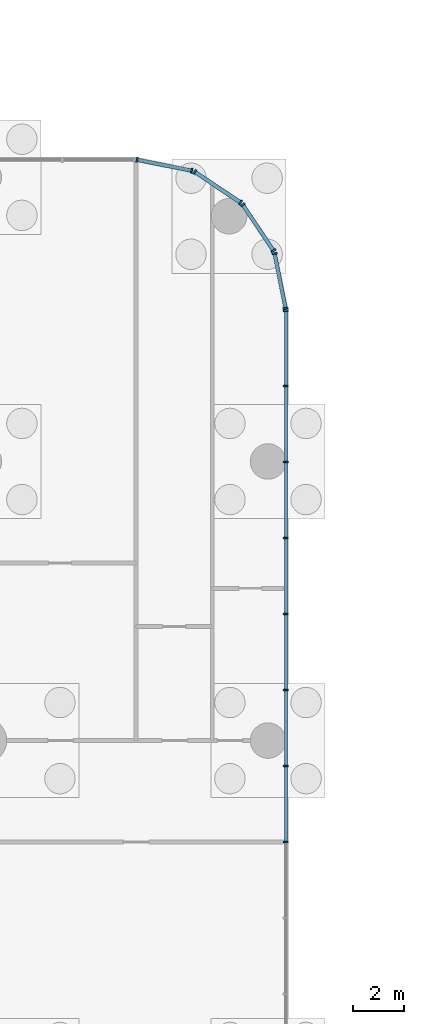
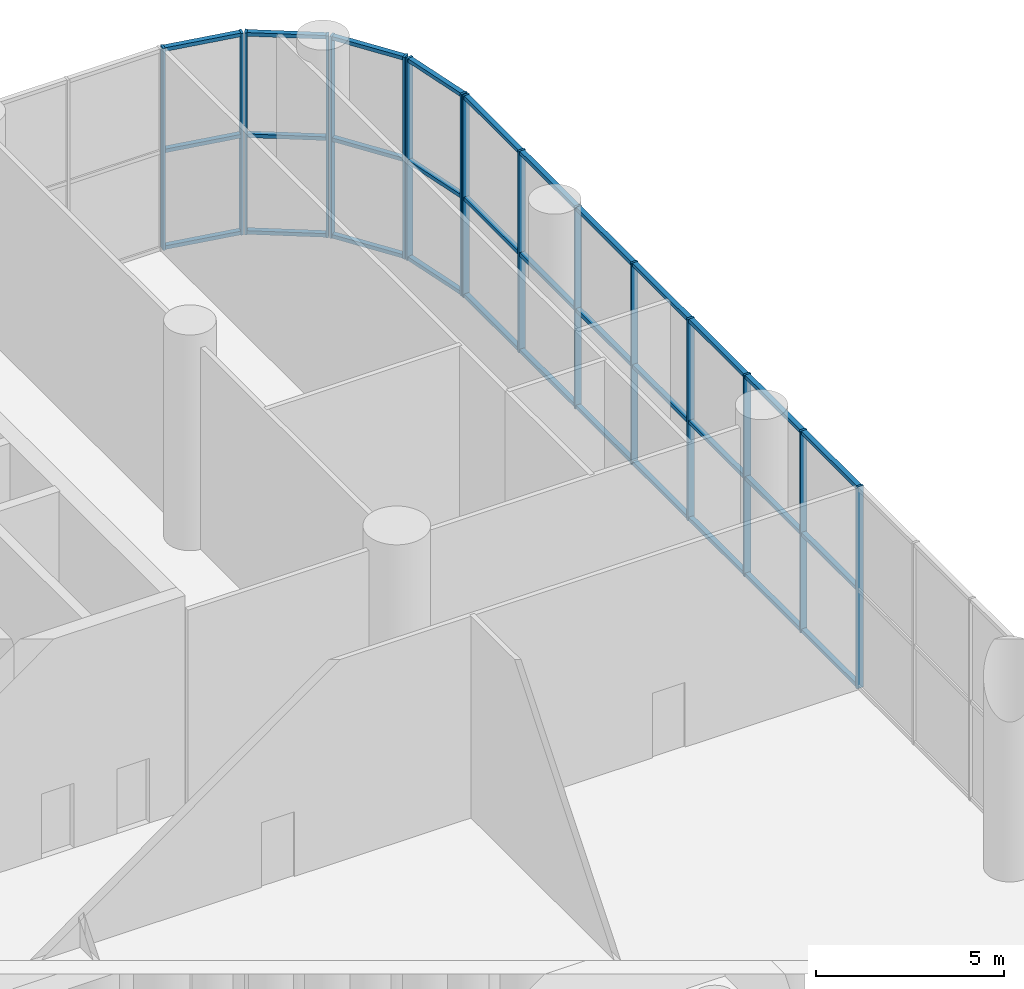
# One storey, part 12 of 26: 49 members, 5 elements without a shape of their own.
"""IFC4 building model written with IfcOpenShell, lengths in metres."""

from ifc_helpers import new_model, si_unit, direction, frame, origin, origin_2d, place, context, subcontext, project, spatial, rectangle, extrude, material, layer, layer_set, material_profile, profile_set, type_object, element, aggregate, save


model = new_model("IFC4")

# Units and contexts
model_context = context("Model", 3, precision=1e-05, world=origin(), true_north=direction((0.0, 1.0)))
body_context = subcontext(model_context, "Body", "Model", "MODEL_VIEW")
ifc_project = project(units=[si_unit("LENGTHUNIT", "METRE"), si_unit("AREAUNIT", "SQUARE_METRE"), si_unit("VOLUMEUNIT", "CUBIC_METRE"), si_unit("PLANEANGLEUNIT", "RADIAN"), si_unit("MASSUNIT", "GRAM", prefix="KILO")], contexts=[model_context])

# Site, building, storey
site_placement = place(None, origin())
site = spatial("IfcSite", under=ifc_project, at=site_placement, CompositionType="ELEMENT")
building_placement = place(site_placement, origin())
building = spatial("IfcBuilding", under=site, at=building_placement, Name="Torana Hotel and Residences", CompositionType="ELEMENT")
storey_placement = place(building_placement, origin())
storey = spatial("IfcBuildingStorey", under=building, at=storey_placement, Name="L00", CompositionType="ELEMENT", Elevation=0.0)

# Curtain wall, members
ifc_material_1 = material(Name="Dark anodised aluminium", Category="aluminium")
ifc_layer = layer(ifc_material_1, 0.199951171875)
ifc_layer_set = layer_set([ifc_layer], Name="CW1 PODIUM SHOPFRONT CURTAIN WALL")
curtain_wall_type = type_object("IfcCurtainWallType", Name="CW1 PODIUM SHOPFRONT CURTAIN WALL", PredefinedType="NOTDEFINED", material=ifc_layer_set)
curtain_wall_1_placement = place(storey_placement, origin())
curtain_wall_1 = element("IfcCurtainWall", 1, at=curtain_wall_1_placement, inside=storey, type_object=curtain_wall_type, Name="Curtain wall CW1 L00 e1.5-1", PredefinedType="NOTDEFINED")
ifc_material_2 = material(Name="Dark anodised aluminium", Category="aluminium")
ifc_material_profile_1 = material_profile(ifc_material_2, rectangle(XDim=0.199951171875, YDim=0.070068359375, at=origin_2d()), Name="CW1 MULLION 70x200")
ifc_profile_set_1 = profile_set([ifc_material_profile_1], Name="Dark anodised aluminium")
member_type_1 = type_object("IfcMemberType", Name="CW1 MULLION 70x200", PredefinedType="MULLION", material=ifc_profile_set_1)
member_1_placement = place(storey_placement, frame((47.89990234375, -18.995849609375, 0.0), z_axis=(0.0, 0.0, 1.0), x_axis=(-1.0, 0.0, 0.0)))
member_1 = element("IfcMember", 2, at=member_1_placement, type_object=member_type_1, Name="CW1 mullion 6", PredefinedType="MULLION", context=body_context, shape_type="SweptSolid", body=[
    extrude(rectangle(XDim=0.199951171875, YDim=0.070068359375, at=origin_2d()), origin(), (0.0, 0.0, 1.0), 6.550048828125),
])
member_2_placement = place(storey_placement, frame((47.89990234375, -16.0, 0.0), z_axis=(0.0, 0.0, 1.0), x_axis=(-1.0, 0.0, 0.0)))
member_2 = element("IfcMember", 3, at=member_2_placement, type_object=member_type_1, Name="CW1 mullion 7", PredefinedType="MULLION", context=body_context, shape_type="SweptSolid", body=[
    extrude(rectangle(XDim=0.199951171875, YDim=0.070068359375, at=origin_2d()), origin(), (0.0, 0.0, 1.0), 6.550048828125),
])
member_3_placement = place(storey_placement, frame((47.89990234375, -13.004150390625, 0.0), z_axis=(0.0, 0.0, 1.0), x_axis=(-1.0, 0.0, 0.0)))
member_3 = element("IfcMember", 4, at=member_3_placement, type_object=member_type_1, Name="CW1 mullion 8", PredefinedType="MULLION", context=body_context, shape_type="SweptSolid", body=[
    extrude(rectangle(XDim=0.199951171875, YDim=0.070068359375, at=origin_2d()), origin(), (0.0, 0.0, 1.0), 6.550048828125),
])
member_4_placement = place(storey_placement, frame((47.89990234375, -10.00830078125, 0.0), z_axis=(0.0, 0.0, 1.0), x_axis=(-1.0, 0.0, 0.0)))
member_4 = element("IfcMember", 5, at=member_4_placement, type_object=member_type_1, Name="CW1 mullion 9", PredefinedType="MULLION", context=body_context, shape_type="SweptSolid", body=[
    extrude(rectangle(XDim=0.199951171875, YDim=0.070068359375, at=origin_2d()), origin(), (0.0, 0.0, 1.0), 6.550048828125),
])
member_5_placement = place(storey_placement, frame((47.89990234375, -7.01220703125, 0.0), z_axis=(0.0, 0.0, 1.0), x_axis=(-1.0, 0.0, 0.0)))
member_5 = element("IfcMember", 6, at=member_5_placement, type_object=member_type_1, Name="CW1 mullion 10", PredefinedType="MULLION", context=body_context, shape_type="SweptSolid", body=[
    extrude(rectangle(XDim=0.199951171875, YDim=0.070068359375, at=origin_2d()), origin(), (0.0, 0.0, 1.0), 6.550048828125),
])
member_6_placement = place(storey_placement, frame((47.89990234375, -4.016357421875, 0.0), z_axis=(0.0, 0.0, 1.0), x_axis=(-1.0, 0.0, 0.0)))
member_6 = element("IfcMember", 7, at=member_6_placement, type_object=member_type_1, Name="CW1 mullion 11", PredefinedType="MULLION", context=body_context, shape_type="SweptSolid", body=[
    extrude(rectangle(XDim=0.199951171875, YDim=0.070068359375, at=origin_2d()), origin(), (0.0, 0.0, 1.0), 6.550048828125),
])
member_7_placement = place(storey_placement, frame((47.89990234375, -1.0205078125, 0.0), z_axis=(0.0, 0.0, 1.0), x_axis=(-1.0, 0.0, 0.0)))
member_7 = element("IfcMember", 8, at=member_7_placement, type_object=member_type_1, Name="CW1 mullion 12", PredefinedType="MULLION", context=body_context, shape_type="SweptSolid", body=[
    extrude(rectangle(XDim=0.199951171875, YDim=0.070068359375, at=origin_2d()), origin(), (0.0, 0.0, 1.0), 6.550048828125),
])
member_8_placement = place(storey_placement, frame((47.89990234375, 1.9404296875, 0.0), z_axis=(0.0, 0.0, 1.0), x_axis=(-1.0, 0.0, 0.0)))
member_8 = element("IfcMember", 9, at=member_8_placement, type_object=member_type_1, Name="CW1 mullion 13", PredefinedType="MULLION", context=body_context, shape_type="SweptSolid", body=[
    extrude(rectangle(XDim=0.199951171875, YDim=0.070068359375, at=origin_2d()), origin(), (0.0, 0.0, 1.0), 6.550048828125),
])

curtain_wall_2_placement = place(storey_placement, origin())
curtain_wall_2 = element("IfcCurtainWall", 10, at=curtain_wall_2_placement, inside=storey, type_object=curtain_wall_type, Name="Curtain wall CW1 L00 e1.6-1", PredefinedType="NOTDEFINED")
member_9_placement = place(storey_placement, frame((47.890380859375, 2.038818359375, 0.0), z_axis=(0.0, 0.0, 1.0), x_axis=(-0.980787135335, -0.195080996415, 0.0)))
member_9 = element("IfcMember", 11, at=member_9_placement, type_object=member_type_1, Name="CW1 mullion 1", PredefinedType="MULLION", context=body_context, shape_type="SweptSolid", body=[
    extrude(rectangle(XDim=0.199951171875, YDim=0.070068359375, at=origin_2d()), origin(), (0.0, 0.0, 1.0), 6.550048828125),
])
member_10_placement = place(storey_placement, frame((47.461669921875, 4.193359375, 0.0), z_axis=(0.0, 0.0, 1.0), x_axis=(-0.980787135335, -0.195080996415, 0.0)))
member_10 = element("IfcMember", 12, at=member_10_placement, type_object=member_type_1, Name="CW1 mullion 2", PredefinedType="MULLION", context=body_context, shape_type="SweptSolid", body=[
    extrude(rectangle(XDim=0.199951171875, YDim=0.070068359375, at=origin_2d()), origin(), (0.0, 0.0, 1.0), 6.550048828125),
])

curtain_wall_3_placement = place(storey_placement, origin())
curtain_wall_3 = element("IfcCurtainWall", 13, at=curtain_wall_3_placement, inside=storey, type_object=curtain_wall_type, Name="Curtain wall CW1 L00 e1.7-1", PredefinedType="NOTDEFINED")
member_11_placement = place(storey_placement, frame((47.4130859375, 4.31103515625, 0.0), z_axis=(0.0, 0.0, 1.0), x_axis=(-0.831459585616, -0.555585238723, 0.0)))
member_11 = element("IfcMember", 14, at=member_11_placement, type_object=member_type_1, Name="CW1 mullion 1", PredefinedType="MULLION", context=body_context, shape_type="SweptSolid", body=[
    extrude(rectangle(XDim=0.199951171875, YDim=0.070068359375, at=origin_2d()), origin(), (0.0, 0.0, 1.0), 6.550048828125),
])
member_12_placement = place(storey_placement, frame((46.20654296875, 6.11669921875, 0.0), z_axis=(0.0, 0.0, 1.0), x_axis=(-0.831459585616, -0.555585238723, 0.0)))
member_12 = element("IfcMember", 15, at=member_12_placement, type_object=member_type_1, Name="CW1 mullion 2", PredefinedType="MULLION", context=body_context, shape_type="SweptSolid", body=[
    extrude(rectangle(XDim=0.199951171875, YDim=0.070068359375, at=origin_2d()), origin(), (0.0, 0.0, 1.0), 6.550048828125),
])

curtain_wall_4_placement = place(storey_placement, origin())
curtain_wall_4 = element("IfcCurtainWall", 16, at=curtain_wall_4_placement, inside=storey, type_object=curtain_wall_type, Name="Curtain wall CW1 L00 e1.8-1", PredefinedType="NOTDEFINED")
member_13_placement = place(storey_placement, frame((46.11669921875, 6.20654296875, 0.0), z_axis=(0.0, 0.0, 1.0), x_axis=(-0.555585238723, -0.831459585616, 0.0)))
member_13 = element("IfcMember", 17, at=member_13_placement, type_object=member_type_1, Name="CW1 mullion 1", PredefinedType="MULLION", context=body_context, shape_type="SweptSolid", body=[
    extrude(rectangle(XDim=0.199951171875, YDim=0.070068359375, at=origin_2d()), origin(), (0.0, 0.0, 1.0), 6.550048828125),
])
member_14_placement = place(storey_placement, frame((44.31103515625, 7.4130859375, 0.0), z_axis=(0.0, 0.0, 1.0), x_axis=(-0.555585238723, -0.831459585616, 0.0)))
member_14 = element("IfcMember", 18, at=member_14_placement, type_object=member_type_1, Name="CW1 mullion 2", PredefinedType="MULLION", context=body_context, shape_type="SweptSolid", body=[
    extrude(rectangle(XDim=0.199951171875, YDim=0.070068359375, at=origin_2d()), origin(), (0.0, 0.0, 1.0), 6.550048828125),
])

curtain_wall_5_placement = place(storey_placement, origin())
curtain_wall_5 = element("IfcCurtainWall", 19, at=curtain_wall_5_placement, inside=storey, type_object=curtain_wall_type, Name="Curtain wall CW1 L00 e1.9-1", PredefinedType="NOTDEFINED")
member_15_placement = place(storey_placement, frame((44.193359375, 7.461669921875, 0.0), z_axis=(0.0, 0.0, 1.0), x_axis=(-0.195080996415, -0.980787135335, 0.0)))
member_15 = element("IfcMember", 20, at=member_15_placement, type_object=member_type_1, Name="CW1 mullion 1", PredefinedType="MULLION", context=body_context, shape_type="SweptSolid", body=[
    extrude(rectangle(XDim=0.199951171875, YDim=0.070068359375, at=origin_2d()), origin(), (0.0, 0.0, 1.0), 6.550048828125),
])
member_16_placement = place(storey_placement, frame((42.038818359375, 7.890380859375, 0.0), z_axis=(0.0, 0.0, 1.0), x_axis=(-0.195080996415, -0.980787135335, 0.0)))
member_16 = element("IfcMember", 21, at=member_16_placement, type_object=member_type_1, Name="CW1 mullion 2", PredefinedType="MULLION", context=body_context, shape_type="SweptSolid", body=[
    extrude(rectangle(XDim=0.199951171875, YDim=0.070068359375, at=origin_2d()), origin(), (0.0, 0.0, 1.0), 6.550048828125),
])

# Member
ifc_material_3 = material(Name="Dark anodised aluminium", Category="aluminium")
ifc_material_profile_2 = material_profile(ifc_material_3, rectangle(XDim=0.14990234375, YDim=0.1201171875, at=origin_2d()), Name="CW1 TRANSOM 150x120")
ifc_profile_set_2 = profile_set([ifc_material_profile_2], Name="Dark anodised aluminium")
member_type_2 = type_object("IfcMemberType", Name="CW1 TRANSOM 150x120", PredefinedType="USERDEFINED", material=ifc_profile_set_2)
member_17_placement = place(storey_placement, frame((47.89990234375, -18.9609375, 0.06005859375), z_axis=(0.0, 1.0, 0.0), x_axis=(-1.0, 0.0, 0.0)))
member_17 = element("IfcMember", 22, at=member_17_placement, type_object=member_type_2, Name="CW1 transom 6.1", ObjectType="TRANSOM", PredefinedType="USERDEFINED", context=body_context, shape_type="SweptSolid", body=[
    extrude(rectangle(XDim=0.14990234375, YDim=0.1201171875, at=origin_2d()), origin(), (0.0, 0.0, 1.0), 2.926025390625),
])

member_18_placement = place(storey_placement, frame((47.89990234375, -18.9609375, 3.199951171875), z_axis=(0.0, 1.0, 0.0), x_axis=(-1.0, 0.0, 0.0)))
member_18 = element("IfcMember", 23, at=member_18_placement, type_object=member_type_2, Name="CW1 transom 6.2", ObjectType="TRANSOM", PredefinedType="USERDEFINED", context=body_context, shape_type="SweptSolid", body=[
    extrude(rectangle(XDim=0.14990234375, YDim=0.1201171875, at=origin_2d()), origin(), (0.0, 0.0, 1.0), 2.926025390625),
])

member_19_placement = place(storey_placement, frame((47.89990234375, -18.9609375, 6.489990234375), z_axis=(0.0, 1.0, 0.0), x_axis=(-1.0, 0.0, 0.0)))
member_19 = element("IfcMember", 24, at=member_19_placement, type_object=member_type_2, Name="CW1 transom 6.3", ObjectType="TRANSOM", PredefinedType="USERDEFINED", context=body_context, shape_type="SweptSolid", body=[
    extrude(rectangle(XDim=0.14990234375, YDim=0.1201171875, at=origin_2d()), origin(), (0.0, 0.0, 1.0), 2.926025390625),
])

member_20_placement = place(storey_placement, frame((47.89990234375, -15.965087890625, 0.06005859375), z_axis=(0.0, 1.0, 0.0), x_axis=(-1.0, 0.0, 0.0)))
member_20 = element("IfcMember", 25, at=member_20_placement, type_object=member_type_2, Name="CW1 transom 7.1", ObjectType="TRANSOM", PredefinedType="USERDEFINED", context=body_context, shape_type="SweptSolid", body=[
    extrude(rectangle(XDim=0.14990234375, YDim=0.1201171875, at=origin_2d()), origin(), (0.0, 0.0, 1.0), 2.926025390625),
])

member_21_placement = place(storey_placement, frame((47.89990234375, -15.965087890625, 3.199951171875), z_axis=(0.0, 1.0, 0.0), x_axis=(-1.0, 0.0, 0.0)))
member_21 = element("IfcMember", 26, at=member_21_placement, type_object=member_type_2, Name="CW1 transom 7.2", ObjectType="TRANSOM", PredefinedType="USERDEFINED", context=body_context, shape_type="SweptSolid", body=[
    extrude(rectangle(XDim=0.14990234375, YDim=0.1201171875, at=origin_2d()), origin(), (0.0, 0.0, 1.0), 2.926025390625),
])

member_22_placement = place(storey_placement, frame((47.89990234375, -15.965087890625, 6.489990234375), z_axis=(0.0, 1.0, 0.0), x_axis=(-1.0, 0.0, 0.0)))
member_22 = element("IfcMember", 27, at=member_22_placement, type_object=member_type_2, Name="CW1 transom 7.3", ObjectType="TRANSOM", PredefinedType="USERDEFINED", context=body_context, shape_type="SweptSolid", body=[
    extrude(rectangle(XDim=0.14990234375, YDim=0.1201171875, at=origin_2d()), origin(), (0.0, 0.0, 1.0), 2.926025390625),
])

member_23_placement = place(storey_placement, frame((47.89990234375, -12.968994140625, 0.06005859375), z_axis=(0.0, 1.0, 0.0), x_axis=(-1.0, 0.0, 0.0)))
member_23 = element("IfcMember", 28, at=member_23_placement, type_object=member_type_2, Name="CW1 transom 8.1", ObjectType="TRANSOM", PredefinedType="USERDEFINED", context=body_context, shape_type="SweptSolid", body=[
    extrude(rectangle(XDim=0.14990234375, YDim=0.1201171875, at=origin_2d()), origin(), (0.0, 0.0, 1.0), 2.92578125),
])

member_24_placement = place(storey_placement, frame((47.89990234375, -12.968994140625, 3.199951171875), z_axis=(0.0, 1.0, 0.0), x_axis=(-1.0, 0.0, 0.0)))
member_24 = element("IfcMember", 29, at=member_24_placement, type_object=member_type_2, Name="CW1 transom 8.2", ObjectType="TRANSOM", PredefinedType="USERDEFINED", context=body_context, shape_type="SweptSolid", body=[
    extrude(rectangle(XDim=0.14990234375, YDim=0.1201171875, at=origin_2d()), origin(), (0.0, 0.0, 1.0), 2.92578125),
])

member_25_placement = place(storey_placement, frame((47.89990234375, -12.968994140625, 6.489990234375), z_axis=(0.0, 1.0, 0.0), x_axis=(-1.0, 0.0, 0.0)))
member_25 = element("IfcMember", 30, at=member_25_placement, type_object=member_type_2, Name="CW1 transom 8.3", ObjectType="TRANSOM", PredefinedType="USERDEFINED", context=body_context, shape_type="SweptSolid", body=[
    extrude(rectangle(XDim=0.14990234375, YDim=0.1201171875, at=origin_2d()), origin(), (0.0, 0.0, 1.0), 2.92578125),
])

member_26_placement = place(storey_placement, frame((47.89990234375, -9.97314453125, 0.06005859375), z_axis=(0.0, 1.0, 0.0), x_axis=(-1.0, 0.0, 0.0)))
member_26 = element("IfcMember", 31, at=member_26_placement, type_object=member_type_2, Name="CW1 transom 9.1", ObjectType="TRANSOM", PredefinedType="USERDEFINED", context=body_context, shape_type="SweptSolid", body=[
    extrude(rectangle(XDim=0.14990234375, YDim=0.1201171875, at=origin_2d()), origin(), (0.0, 0.0, 1.0), 2.92578125),
])

member_27_placement = place(storey_placement, frame((47.89990234375, -9.97314453125, 3.199951171875), z_axis=(0.0, 1.0, 0.0), x_axis=(-1.0, 0.0, 0.0)))
member_27 = element("IfcMember", 32, at=member_27_placement, type_object=member_type_2, Name="CW1 transom 9.2", ObjectType="TRANSOM", PredefinedType="USERDEFINED", context=body_context, shape_type="SweptSolid", body=[
    extrude(rectangle(XDim=0.14990234375, YDim=0.1201171875, at=origin_2d()), origin(), (0.0, 0.0, 1.0), 2.92578125),
])

member_28_placement = place(storey_placement, frame((47.89990234375, -9.97314453125, 6.489990234375), z_axis=(0.0, 1.0, 0.0), x_axis=(-1.0, 0.0, 0.0)))
member_28 = element("IfcMember", 33, at=member_28_placement, type_object=member_type_2, Name="CW1 transom 9.3", ObjectType="TRANSOM", PredefinedType="USERDEFINED", context=body_context, shape_type="SweptSolid", body=[
    extrude(rectangle(XDim=0.14990234375, YDim=0.1201171875, at=origin_2d()), origin(), (0.0, 0.0, 1.0), 2.92578125),
])

member_29_placement = place(storey_placement, frame((47.89990234375, -6.977294921875, 0.06005859375), z_axis=(0.0, 1.0, 0.0), x_axis=(-1.0, 0.0, 0.0)))
member_29 = element("IfcMember", 34, at=member_29_placement, type_object=member_type_2, Name="CW1 transom 10.1", ObjectType="TRANSOM", PredefinedType="USERDEFINED", context=body_context, shape_type="SweptSolid", body=[
    extrude(rectangle(XDim=0.14990234375, YDim=0.1201171875, at=origin_2d()), origin(), (0.0, 0.0, 1.0), 2.92578125),
])

member_30_placement = place(storey_placement, frame((47.89990234375, -6.977294921875, 3.199951171875), z_axis=(0.0, 1.0, 0.0), x_axis=(-1.0, 0.0, 0.0)))
member_30 = element("IfcMember", 35, at=member_30_placement, type_object=member_type_2, Name="CW1 transom 10.2", ObjectType="TRANSOM", PredefinedType="USERDEFINED", context=body_context, shape_type="SweptSolid", body=[
    extrude(rectangle(XDim=0.14990234375, YDim=0.1201171875, at=origin_2d()), origin(), (0.0, 0.0, 1.0), 2.92578125),
])

member_31_placement = place(storey_placement, frame((47.89990234375, -6.977294921875, 6.489990234375), z_axis=(0.0, 1.0, 0.0), x_axis=(-1.0, 0.0, 0.0)))
member_31 = element("IfcMember", 36, at=member_31_placement, type_object=member_type_2, Name="CW1 transom 10.3", ObjectType="TRANSOM", PredefinedType="USERDEFINED", context=body_context, shape_type="SweptSolid", body=[
    extrude(rectangle(XDim=0.14990234375, YDim=0.1201171875, at=origin_2d()), origin(), (0.0, 0.0, 1.0), 2.92578125),
])

member_32_placement = place(storey_placement, frame((47.89990234375, -3.9814453125, 0.06005859375), z_axis=(0.0, 1.0, 0.0), x_axis=(-1.0, 0.0, 0.0)))
member_32 = element("IfcMember", 37, at=member_32_placement, type_object=member_type_2, Name="CW1 transom 11.1", ObjectType="TRANSOM", PredefinedType="USERDEFINED", context=body_context, shape_type="SweptSolid", body=[
    extrude(rectangle(XDim=0.14990234375, YDim=0.1201171875, at=origin_2d()), origin(), (0.0, 0.0, 1.0), 2.926025390625),
])

member_33_placement = place(storey_placement, frame((47.89990234375, -3.9814453125, 3.199951171875), z_axis=(0.0, 1.0, 0.0), x_axis=(-1.0, 0.0, 0.0)))
member_33 = element("IfcMember", 38, at=member_33_placement, type_object=member_type_2, Name="CW1 transom 11.2", ObjectType="TRANSOM", PredefinedType="USERDEFINED", context=body_context, shape_type="SweptSolid", body=[
    extrude(rectangle(XDim=0.14990234375, YDim=0.1201171875, at=origin_2d()), origin(), (0.0, 0.0, 1.0), 2.926025390625),
])

member_34_placement = place(storey_placement, frame((47.89990234375, -3.9814453125, 6.489990234375), z_axis=(0.0, 1.0, 0.0), x_axis=(-1.0, 0.0, 0.0)))
member_34 = element("IfcMember", 39, at=member_34_placement, type_object=member_type_2, Name="CW1 transom 11.3", ObjectType="TRANSOM", PredefinedType="USERDEFINED", context=body_context, shape_type="SweptSolid", body=[
    extrude(rectangle(XDim=0.14990234375, YDim=0.1201171875, at=origin_2d()), origin(), (0.0, 0.0, 1.0), 2.926025390625),
])

member_35_placement = place(storey_placement, frame((47.89990234375, -0.985595703125, 0.06005859375), z_axis=(0.0, 1.0, 0.0), x_axis=(-1.0, 0.0, 0.0)))
member_35 = element("IfcMember", 40, at=member_35_placement, type_object=member_type_2, Name="CW1 transom 12.1", ObjectType="TRANSOM", PredefinedType="USERDEFINED", context=body_context, shape_type="SweptSolid", body=[
    extrude(rectangle(XDim=0.14990234375, YDim=0.1201171875, at=origin_2d()), origin(), (0.0, 0.0, 1.0), 2.89111328125),
])

member_36_placement = place(storey_placement, frame((47.89990234375, -0.985595703125, 3.199951171875), z_axis=(0.0, 1.0, 0.0), x_axis=(-1.0, 0.0, 0.0)))
member_36 = element("IfcMember", 41, at=member_36_placement, type_object=member_type_2, Name="CW1 transom 12.2", ObjectType="TRANSOM", PredefinedType="USERDEFINED", context=body_context, shape_type="SweptSolid", body=[
    extrude(rectangle(XDim=0.14990234375, YDim=0.1201171875, at=origin_2d()), origin(), (0.0, 0.0, 1.0), 2.89111328125),
])

member_37_placement = place(storey_placement, frame((47.89990234375, -0.985595703125, 6.489990234375), z_axis=(0.0, 1.0, 0.0), x_axis=(-1.0, 0.0, 0.0)))
member_37 = element("IfcMember", 42, at=member_37_placement, type_object=member_type_2, Name="CW1 transom 12.3", ObjectType="TRANSOM", PredefinedType="USERDEFINED", context=body_context, shape_type="SweptSolid", body=[
    extrude(rectangle(XDim=0.14990234375, YDim=0.1201171875, at=origin_2d()), origin(), (0.0, 0.0, 1.0), 2.89111328125),
])

aggregate(curtain_wall_1, [member_1, member_2, member_3, member_4, member_5, member_6, member_7, member_8, member_17, member_18, member_19, member_20, member_21, member_22, member_23, member_24, member_25, member_26, member_27, member_28, member_29, member_30, member_31, member_32, member_33, member_34, member_35, member_36, member_37])

member_38_placement = place(storey_placement, frame((47.883544921875, 2.0732421875, 0.06005859375), z_axis=(-0.195144730313, 0.980774456351, 0.0), x_axis=(-0.980774456351, -0.195144730313, 0.0)))
member_38 = element("IfcMember", 43, at=member_38_placement, type_object=member_type_2, Name="CW1 transom 1.1", ObjectType="TRANSOM", PredefinedType="USERDEFINED", context=body_context, shape_type="SweptSolid", body=[
    extrude(rectangle(XDim=0.14990234375, YDim=0.1201171875, at=origin_2d()), origin(), (0.0, 0.0, 1.0), 2.126708984375),
])

member_39_placement = place(storey_placement, frame((47.883544921875, 2.0732421875, 3.199951171875), z_axis=(-0.195144730313, 0.980774456351, 0.0), x_axis=(-0.980774456351, -0.195144730313, 0.0)))
member_39 = element("IfcMember", 44, at=member_39_placement, type_object=member_type_2, Name="CW1 transom 1.2", ObjectType="TRANSOM", PredefinedType="USERDEFINED", context=body_context, shape_type="SweptSolid", body=[
    extrude(rectangle(XDim=0.14990234375, YDim=0.1201171875, at=origin_2d()), origin(), (0.0, 0.0, 1.0), 2.126708984375),
])

member_40_placement = place(storey_placement, frame((47.883544921875, 2.0732421875, 6.489990234375), z_axis=(-0.195144730313, 0.980774456351, 0.0), x_axis=(-0.980774456351, -0.195144730313, 0.0)))
member_40 = element("IfcMember", 45, at=member_40_placement, type_object=member_type_2, Name="CW1 transom 1.3", ObjectType="TRANSOM", PredefinedType="USERDEFINED", context=body_context, shape_type="SweptSolid", body=[
    extrude(rectangle(XDim=0.14990234375, YDim=0.1201171875, at=origin_2d()), origin(), (0.0, 0.0, 1.0), 2.126708984375),
])

aggregate(curtain_wall_2, [member_9, member_10, member_38, member_39, member_40])

member_41_placement = place(storey_placement, frame((47.3935546875, 4.340087890625, 0.06005859375), z_axis=(-0.555557822908, 0.83147790434, 0.0), x_axis=(-0.83147790434, -0.555557822908, 0.0)))
member_41 = element("IfcMember", 46, at=member_41_placement, type_object=member_type_2, Name="CW1 transom 1.1", ObjectType="TRANSOM", PredefinedType="USERDEFINED", context=body_context, shape_type="SweptSolid", body=[
    extrude(rectangle(XDim=0.14990234375, YDim=0.1201171875, at=origin_2d()), origin(), (0.0, 0.0, 1.0), 2.1015625),
])

member_42_placement = place(storey_placement, frame((47.3935546875, 4.340087890625, 3.199951171875), z_axis=(-0.555557822908, 0.83147790434, 0.0), x_axis=(-0.83147790434, -0.555557822908, 0.0)))
member_42 = element("IfcMember", 47, at=member_42_placement, type_object=member_type_2, Name="CW1 transom 1.2", ObjectType="TRANSOM", PredefinedType="USERDEFINED", context=body_context, shape_type="SweptSolid", body=[
    extrude(rectangle(XDim=0.14990234375, YDim=0.1201171875, at=origin_2d()), origin(), (0.0, 0.0, 1.0), 2.1015625),
])

member_43_placement = place(storey_placement, frame((47.3935546875, 4.340087890625, 6.489990234375), z_axis=(-0.555557822908, 0.83147790434, 0.0), x_axis=(-0.83147790434, -0.555557822908, 0.0)))
member_43 = element("IfcMember", 48, at=member_43_placement, type_object=member_type_2, Name="CW1 transom 1.3", ObjectType="TRANSOM", PredefinedType="USERDEFINED", context=body_context, shape_type="SweptSolid", body=[
    extrude(rectangle(XDim=0.14990234375, YDim=0.1201171875, at=origin_2d()), origin(), (0.0, 0.0, 1.0), 2.1015625),
])

aggregate(curtain_wall_3, [member_11, member_12, member_41, member_42, member_43])

member_44_placement = place(storey_placement, frame((46.08740234375, 6.22607421875, 0.06005859375), z_axis=(-0.83147790434, 0.555557822908, 0.0), x_axis=(-0.555557822908, -0.83147790434, 0.0)))
member_44 = element("IfcMember", 49, at=member_44_placement, type_object=member_type_2, Name="CW1 transom 1.1", ObjectType="TRANSOM", PredefinedType="USERDEFINED", context=body_context, shape_type="SweptSolid", body=[
    extrude(rectangle(XDim=0.14990234375, YDim=0.1201171875, at=origin_2d()), origin(), (0.0, 0.0, 1.0), 2.1015625),
])

member_45_placement = place(storey_placement, frame((46.08740234375, 6.22607421875, 3.199951171875), z_axis=(-0.83147790434, 0.555557822908, 0.0), x_axis=(-0.555557822908, -0.83147790434, 0.0)))
member_45 = element("IfcMember", 50, at=member_45_placement, type_object=member_type_2, Name="CW1 transom 1.2", ObjectType="TRANSOM", PredefinedType="USERDEFINED", context=body_context, shape_type="SweptSolid", body=[
    extrude(rectangle(XDim=0.14990234375, YDim=0.1201171875, at=origin_2d()), origin(), (0.0, 0.0, 1.0), 2.1015625),
])

member_46_placement = place(storey_placement, frame((46.08740234375, 6.22607421875, 6.489990234375), z_axis=(-0.83147790434, 0.555557822908, 0.0), x_axis=(-0.555557822908, -0.83147790434, 0.0)))
member_46 = element("IfcMember", 51, at=member_46_placement, type_object=member_type_2, Name="CW1 transom 1.3", ObjectType="TRANSOM", PredefinedType="USERDEFINED", context=body_context, shape_type="SweptSolid", body=[
    extrude(rectangle(XDim=0.14990234375, YDim=0.1201171875, at=origin_2d()), origin(), (0.0, 0.0, 1.0), 2.1015625),
])

aggregate(curtain_wall_4, [member_13, member_14, member_44, member_45, member_46])

member_47_placement = place(storey_placement, frame((44.1591796875, 7.468505859375, 0.06005859375), z_axis=(-0.980774456351, 0.195144730313, 0.0), x_axis=(-0.195144730313, -0.980774456351, 0.0)))
member_47 = element("IfcMember", 52, at=member_47_placement, type_object=member_type_2, Name="CW1 transom 1.1", ObjectType="TRANSOM", PredefinedType="USERDEFINED", context=body_context, shape_type="SweptSolid", body=[
    extrude(rectangle(XDim=0.14990234375, YDim=0.1201171875, at=origin_2d()), origin(), (0.0, 0.0, 1.0), 2.126708984375),
])

member_48_placement = place(storey_placement, frame((44.1591796875, 7.468505859375, 3.199951171875), z_axis=(-0.980774456351, 0.195144730313, 0.0), x_axis=(-0.195144730313, -0.980774456351, 0.0)))
member_48 = element("IfcMember", 53, at=member_48_placement, type_object=member_type_2, Name="CW1 transom 1.2", ObjectType="TRANSOM", PredefinedType="USERDEFINED", context=body_context, shape_type="SweptSolid", body=[
    extrude(rectangle(XDim=0.14990234375, YDim=0.1201171875, at=origin_2d()), origin(), (0.0, 0.0, 1.0), 2.126708984375),
])

member_49_placement = place(storey_placement, frame((44.1591796875, 7.468505859375, 6.489990234375), z_axis=(-0.980774456351, 0.195144730313, 0.0), x_axis=(-0.195144730313, -0.980774456351, 0.0)))
member_49 = element("IfcMember", 54, at=member_49_placement, type_object=member_type_2, Name="CW1 transom 1.3", ObjectType="TRANSOM", PredefinedType="USERDEFINED", context=body_context, shape_type="SweptSolid", body=[
    extrude(rectangle(XDim=0.14990234375, YDim=0.1201171875, at=origin_2d()), origin(), (0.0, 0.0, 1.0), 2.126708984375),
])

aggregate(curtain_wall_5, [member_15, member_16, member_47, member_48, member_49])

save(model, "model.ifc")
